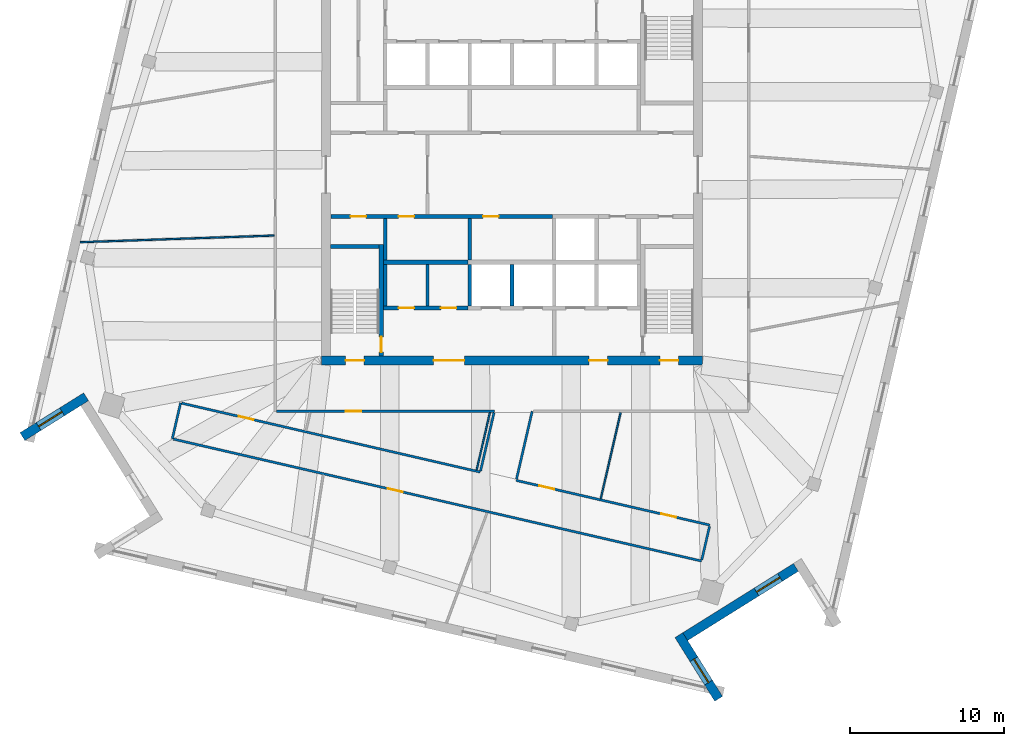
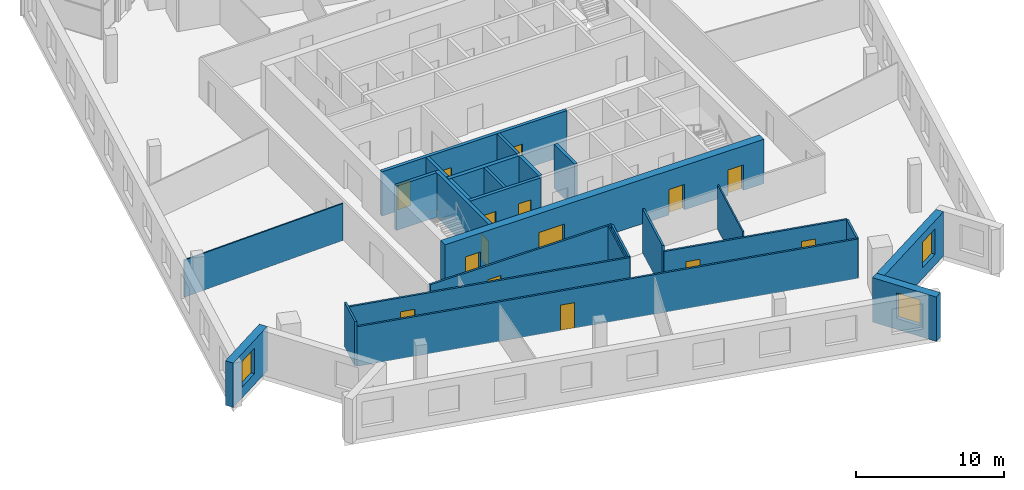
# One storey, part 6 of 14: 26 walls, 15 doors, 3 windows, 18 openings.
"""IFC4 building model written with IfcOpenShell, lengths in metres."""

from ifc_helpers import new_model, si_unit, direction, frame, frame_2d, origin, place, context, subcontext, project, spatial, rectangle, extrude, material, layer, layer_set, type_object, element, fill, save


model = new_model("IFC4")

# Units and contexts
model_context = context("Model", 3, precision=1e-05, world=origin(), true_north=direction((0.0, 1.0)))
body_context = subcontext(model_context, "Body", "Model", "MODEL_VIEW")
ifc_project = project(units=[si_unit("LENGTHUNIT", "METRE"), si_unit("AREAUNIT", "SQUARE_METRE"), si_unit("VOLUMEUNIT", "CUBIC_METRE"), si_unit("PLANEANGLEUNIT", "RADIAN"), si_unit("MASSUNIT", "GRAM", prefix="KILO")], contexts=[model_context])

# Site, building, storey
site_placement = place(None, origin())
site = spatial("IfcSite", under=ifc_project, at=site_placement, CompositionType="ELEMENT")
building_placement = place(site_placement, origin())
building = spatial("IfcBuilding", under=site, at=building_placement, Name="Dilmun Exchange Tower", CompositionType="ELEMENT")
storey_placement = place(building_placement, frame((0.0, 0.0, 332.5)))
storey = spatial("IfcBuildingStorey", under=building, at=storey_placement, Name="L79", CompositionType="ELEMENT", Elevation=332.5)

# Walls
ifc_material_1 = material(Name="Concrete C40/50", Category="concrete")
ifc_layer_1 = layer(ifc_material_1, 0.199951171875)
ifc_layer_set_1 = layer_set([ifc_layer_1], Name="Concrete C40/50")
wall_type_1 = type_object("IfcWallType", Name="Core partition wall 200", PredefinedType="PARTITIONING", material=ifc_layer_set_1)
for number, where, z_axis, x_axis, name in (
    (1, (-5.5, -8.544921875, 0.0), (0.0, 0.0, 1.0), (0.0, 1.0, 0.0), "L79 core partition wall 04"),
    (2, (-2.75, -5.544921875, 0.0), (0.0, 0.0, 1.0), (0.0, 1.0, 0.0), "L79 core partition wall 07"),
):
    element("IfcWall", number, at=place(storey_placement, frame(where, z_axis=z_axis, x_axis=x_axis)), inside=storey, type_object=wall_type_1, Name=name, PredefinedType="PARTITIONING", context=body_context, shape_type="SweptSolid", body=[
        extrude(rectangle(XDim=2.68994140625, YDim=0.199951171875, at=frame_2d((1.344970703125, 0.0))), origin(), (0.0, 0.0, 1.0), 3.64990234375),
    ])

# Wall, openings, doors
ifc_layer_2 = layer(ifc_material_1, 0.25)
ifc_layer_set_2 = layer_set([ifc_layer_2], Name="Concrete C40/50")
wall_type_2 = type_object("IfcWallType", Name="Core partition wall 250", PredefinedType="PARTITIONING", material=ifc_layer_set_2)
wall_1_placement = place(storey_placement, frame((-8.3701171875, -8.675048828125, 0.0), z_axis=(0.0, 0.0, 1.0), x_axis=(1.0, 0.0, 0.0)))
wall_1 = element("IfcWall", 3, at=wall_1_placement, inside=storey, type_object=wall_type_2, Name="L79 core partition wall 02", PredefinedType="PARTITIONING", context=body_context, shape_type="SweptSolid", body=[
    extrude(rectangle(XDim=5.490234375, YDim=0.25, at=frame_2d((2.7451171875, 0.0))), origin(), (0.0, 0.0, 1.0), 3.64990234375),
])
opening_1_placement = place(wall_1_placement, frame((0.9951171875, 0.0, 0.0)))
opening_1 = element("IfcOpeningElement", 4, at=opening_1_placement, cuts=wall_1, Name="Opening CD4", PredefinedType="OPENING", context=body_context, shape_type="SweptSolid", body=[
    extrude(rectangle(XDim=1.0, YDim=2.10009765625, at=frame_2d((0.5, 1.050048828125))), frame((0.0, 0.135009765625, 0.0), z_axis=(0.0, -1.0, 0.0), x_axis=(1.0, 0.0, 0.0)), (0.0, 0.0, 1.0), 0.27001953125),
])
opening_2_placement = place(wall_1_placement, frame((3.7451171875, 0.0, 0.0)))
opening_2 = element("IfcOpeningElement", 5, at=opening_2_placement, cuts=wall_1, Name="Opening CD4", PredefinedType="OPENING", context=body_context, shape_type="SweptSolid", body=[
    extrude(rectangle(XDim=1.0, YDim=2.10009765625, at=frame_2d((0.5, 1.050048828125))), frame((0.0, 0.135009765625, 0.0), z_axis=(0.0, -1.0, 0.0), x_axis=(1.0, 0.0, 0.0)), (0.0, 0.0, 1.0), 0.27001953125),
])
ifc_material_2 = material(Name="Fire-rated steel door set", Category="steel")
door_type_1 = type_object("IfcDoorType", Name="Core room door 1000x2100", OperationType="SINGLE_SWING_LEFT", PredefinedType="DOOR", material=ifc_material_2)
door_1_placement = place(opening_1_placement, origin())
door_1 = element("IfcDoor", 6, at=door_1_placement, inside=storey, type_object=door_type_1, Name="L79 door Male WC", OperationType="SINGLE_SWING_RIGHT", OverallHeight=2.10009765625, OverallWidth=1.0, PredefinedType="DOOR", context=body_context, shape_type="SweptSolid", body=[
    extrude(rectangle(XDim=1.0, YDim=2.10009765625, at=frame_2d((0.5, 1.050048828125))), frame((0.0, 0.02490234375, 0.0), z_axis=(0.0, -1.0, 0.0), x_axis=(1.0, 0.0, 0.0)), (0.0, 0.0, 1.0), 0.050048828125),
])
fill(opening_1, door_1)
door_2_placement = place(opening_2_placement, origin())
door_2 = element("IfcDoor", 7, at=door_2_placement, inside=storey, type_object=door_type_1, Name="L79 door Female WC", OperationType="SINGLE_SWING_RIGHT", OverallHeight=2.10009765625, OverallWidth=1.0, PredefinedType="DOOR", context=body_context, shape_type="SweptSolid", body=[
    extrude(rectangle(XDim=1.0, YDim=2.10009765625, at=frame_2d((0.5, 1.050048828125))), frame((0.0, 0.02490234375, 0.0), z_axis=(0.0, -1.0, 0.0), x_axis=(1.0, 0.0, 0.0)), (0.0, 0.0, 1.0), 0.050048828125),
])
fill(opening_2, door_2)

# Walls
for number, where, z_axis, x_axis, name in (
    (8, (-8.25, -8.544921875, 0.0), (0.0, 0.0, 1.0), (0.0, 1.0, 0.0), "L79 core partition wall 03"),
    (9, (-8.25, -5.544921875, 0.0), (0.0, 0.0, 1.0), (0.0, 1.0, 0.0), "L79 core partition wall 06"),
):
    element("IfcWall", number, at=place(storey_placement, frame(where, z_axis=z_axis, x_axis=x_axis)), inside=storey, type_object=wall_type_2, Name=name, PredefinedType="PARTITIONING", context=body_context, shape_type="SweptSolid", body=[
        extrude(rectangle(XDim=2.68994140625, YDim=0.25, at=frame_2d((1.344970703125, 0.0))), origin(), (0.0, 0.0, 1.0), 3.64990234375),
    ])

# Wall, openings, doors
wall_2_placement = place(storey_placement, frame((-11.794921875, -2.72509765625, 0.0), z_axis=(0.0, 0.0, 1.0), x_axis=(1.0, 0.0, 0.0)))
wall_2 = element("IfcWall", 10, at=wall_2_placement, inside=storey, type_object=wall_type_2, Name="L79 core partition wall 09", PredefinedType="PARTITIONING", context=body_context, shape_type="SweptSolid", body=[
    extrude(rectangle(XDim=14.4150390625, YDim=0.25, at=frame_2d((7.20751953125, 0.0))), origin(), (0.0, 0.0, 1.0), 3.64990234375),
])
opening_3_placement = place(wall_2_placement, frame((1.294921875, 0.0, 0.0)))
opening_3 = element("IfcOpeningElement", 11, at=opening_3_placement, cuts=wall_2, Name="Opening CD4", PredefinedType="OPENING", context=body_context, shape_type="SweptSolid", body=[
    extrude(rectangle(XDim=1.0, YDim=2.10009765625, at=frame_2d((0.5, 1.050048828125))), frame((0.0, 0.135009765625, 0.0), z_axis=(0.0, -1.0, 0.0), x_axis=(1.0, 0.0, 0.0)), (0.0, 0.0, 1.0), 0.27001953125),
])
opening_4_placement = place(wall_2_placement, frame((4.419921875, 0.0, 0.0)))
opening_4 = element("IfcOpeningElement", 12, at=opening_4_placement, cuts=wall_2, Name="Opening CD4", PredefinedType="OPENING", context=body_context, shape_type="SweptSolid", body=[
    extrude(rectangle(XDim=1.0, YDim=2.10009765625, at=frame_2d((0.5, 1.050048828125))), frame((0.0, 0.135009765625, 0.0), z_axis=(0.0, -1.0, 0.0), x_axis=(1.0, 0.0, 0.0)), (0.0, 0.0, 1.0), 0.27001953125),
])
opening_5_placement = place(wall_2_placement, frame((9.919921875, 0.0, 0.0)))
opening_5 = element("IfcOpeningElement", 13, at=opening_5_placement, cuts=wall_2, Name="Opening CD4", PredefinedType="OPENING", context=body_context, shape_type="SweptSolid", body=[
    extrude(rectangle(XDim=1.0, YDim=2.10009765625, at=frame_2d((0.5, 1.050048828125))), frame((0.0, 0.135009765625, 0.0), z_axis=(0.0, -1.0, 0.0), x_axis=(1.0, 0.0, 0.0)), (0.0, 0.0, 1.0), 0.27001953125),
])
door_3_placement = place(opening_3_placement, origin())
door_3 = element("IfcDoor", 14, at=door_3_placement, inside=storey, type_object=door_type_1, Name="L79 door Accessible WC", OperationType="SINGLE_SWING_RIGHT", OverallHeight=2.10009765625, OverallWidth=1.0, PredefinedType="DOOR", context=body_context, shape_type="SweptSolid", body=[
    extrude(rectangle(XDim=1.0, YDim=2.10009765625, at=frame_2d((0.5, 1.050048828125))), frame((0.0, 0.02490234375, 0.0), z_axis=(0.0, -1.0, 0.0), x_axis=(1.0, 0.0, 0.0)), (0.0, 0.0, 1.0), 0.050048828125),
])
fill(opening_3, door_3)
door_4_placement = place(opening_4_placement, origin())
door_4 = element("IfcDoor", 15, at=door_4_placement, inside=storey, type_object=door_type_1, Name="L79 door Archive store", OperationType="SINGLE_SWING_RIGHT", OverallHeight=2.10009765625, OverallWidth=1.0, PredefinedType="DOOR", context=body_context, shape_type="SweptSolid", body=[
    extrude(rectangle(XDim=1.0, YDim=2.10009765625, at=frame_2d((0.5, 1.050048828125))), frame((0.0, 0.02490234375, 0.0), z_axis=(0.0, -1.0, 0.0), x_axis=(1.0, 0.0, 0.0)), (0.0, 0.0, 1.0), 0.050048828125),
])
fill(opening_4, door_4)
door_5_placement = place(opening_5_placement, origin())
door_5 = element("IfcDoor", 16, at=door_5_placement, inside=storey, type_object=door_type_1, Name="L79 door Switch room", OperationType="SINGLE_SWING_RIGHT", OverallHeight=2.10009765625, OverallWidth=1.0, PredefinedType="DOOR", context=body_context, shape_type="SweptSolid", body=[
    extrude(rectangle(XDim=1.0, YDim=2.10009765625, at=frame_2d((0.5, 1.050048828125))), frame((0.0, 0.02490234375, 0.0), z_axis=(0.0, -1.0, 0.0), x_axis=(1.0, 0.0, 0.0)), (0.0, 0.0, 1.0), 0.050048828125),
])
fill(opening_5, door_5)

# Wall
ifc_layer_3 = layer(ifc_material_1, 0.300048828125)
ifc_layer_set_3 = layer_set([ifc_layer_3], Name="Concrete C40/50")
wall_type_3 = type_object("IfcWallType", Name="Core partition wall 300", PredefinedType="PARTITIONING", material=ifc_layer_set_3)
wall_3_placement = place(storey_placement, frame((-8.35009765625, -5.699951171875, 0.0), z_axis=(0.0, 0.0, 1.0), x_axis=(1.0, 0.0, 0.0)))
element("IfcWall", 17, at=wall_3_placement, inside=storey, type_object=wall_type_3, Name="L79 core partition wall 05", PredefinedType="PARTITIONING", context=body_context, shape_type="SweptSolid", body=[
    extrude(rectangle(XDim=5.47021484375, YDim=0.300048828125, at=frame_2d((2.735107421875, 0.0))), origin(), (0.0, 0.0, 1.0), 3.64990234375),
])

# Wall, openings, doors
ifc_material_3 = material(Name="Concrete C50/60", Category="concrete")
ifc_layer_4 = layer(ifc_material_3, 0.60009765625)
ifc_layer_set_4 = layer_set([ifc_layer_4], Name="Concrete C50/60")
wall_type_4 = type_object("IfcWallType", Name="Core shear wall 600 Concrete C50/60", PredefinedType="SHEAR", material=ifc_layer_set_4)
wall_4_placement = place(storey_placement, frame((-12.39990234375, -12.10009765625, 0.0), z_axis=(0.0, 0.0, 1.0), x_axis=(1.0, 0.0, 0.0)))
wall_4 = element("IfcWall", 18, at=wall_4_placement, inside=storey, type_object=wall_type_4, Name="L79 core shear wall S", PredefinedType="SHEAR", context=body_context, shape_type="SweptSolid", body=[
    extrude(rectangle(XDim=24.7998046875, YDim=0.60009765625, at=frame_2d((12.39990234375, 0.0))), origin(), (0.0, 0.0, 1.0), 3.64990234375),
])
opening_6_placement = place(wall_4_placement, frame((7.300048828125, 0.0, 0.0)))
opening_6 = element("IfcOpeningElement", 19, at=opening_6_placement, cuts=wall_4, Name="Opening CD2", PredefinedType="OPENING", context=body_context, shape_type="SweptSolid", body=[
    extrude(rectangle(XDim=2.0, YDim=2.10009765625, at=frame_2d((1.0, 1.050048828125))), frame((0.0, 0.31005859375, 0.0), z_axis=(0.0, -1.0, 0.0), x_axis=(1.0, 0.0, 0.0)), (0.0, 0.0, 1.0), 0.6201171875),
])
opening_7_placement = place(wall_4_placement, frame((17.425048828125, 0.0, 0.0)))
opening_7 = element("IfcOpeningElement", 20, at=opening_7_placement, cuts=wall_4, Name="Opening CD3", PredefinedType="OPENING", context=body_context, shape_type="SweptSolid", body=[
    extrude(rectangle(XDim=1.199951171875, YDim=2.10009765625, at=frame_2d((0.60009765625, 1.050048828125))), frame((0.0, 0.31005859375, 0.0), z_axis=(0.0, -1.0, 0.0), x_axis=(1.0, 0.0, 0.0)), (0.0, 0.0, 1.0), 0.6201171875),
])
opening_8_placement = place(wall_4_placement, frame((1.574951171875, 0.0, 0.0)))
opening_8 = element("IfcOpeningElement", 21, at=opening_8_placement, cuts=wall_4, Name="Opening CD3", PredefinedType="OPENING", context=body_context, shape_type="SweptSolid", body=[
    extrude(rectangle(XDim=1.199951171875, YDim=2.10009765625, at=frame_2d((0.60009765625, 1.050048828125))), frame((0.0, 0.31005859375, 0.0), z_axis=(0.0, -1.0, 0.0), x_axis=(1.0, 0.0, 0.0)), (0.0, 0.0, 1.0), 0.6201171875),
])
opening_9_placement = place(wall_4_placement, frame((22.02490234375, 0.0, 0.0)))
opening_9 = element("IfcOpeningElement", 22, at=opening_9_placement, cuts=wall_4, Name="Opening CD3", PredefinedType="OPENING", context=body_context, shape_type="SweptSolid", body=[
    extrude(rectangle(XDim=1.199951171875, YDim=2.10009765625, at=frame_2d((0.60009765625, 1.050048828125))), frame((0.0, 0.31005859375, 0.0), z_axis=(0.0, -1.0, 0.0), x_axis=(1.0, 0.0, 0.0)), (0.0, 0.0, 1.0), 0.6201171875),
])
door_type_2 = type_object("IfcDoorType", Name="Core service door 2000x2100", OperationType="DOUBLE_DOOR_DOUBLE_SWING", PredefinedType="DOOR", material=ifc_material_2)
door_6_placement = place(opening_6_placement, origin())
door_6 = element("IfcDoor", 23, at=door_6_placement, inside=storey, type_object=door_type_2, Name="L79 door South service lobby", OperationType="SINGLE_SWING_LEFT", OverallHeight=2.10009765625, OverallWidth=2.0, PredefinedType="DOOR", context=body_context, shape_type="SweptSolid", body=[
    extrude(rectangle(XDim=2.0, YDim=2.10009765625, at=frame_2d((1.0, 1.050048828125))), frame((0.0, 0.02490234375, 0.0), z_axis=(0.0, -1.0, 0.0), x_axis=(1.0, 0.0, 0.0)), (0.0, 0.0, 1.0), 0.050048828125),
])
fill(opening_6, door_6)
door_type_3 = type_object("IfcDoorType", Name="Stair exit door 1200x2100", OperationType="SINGLE_SWING_LEFT", PredefinedType="DOOR", material=ifc_material_2)
door_7_placement = place(opening_7_placement, origin())
door_7 = element("IfcDoor", 24, at=door_7_placement, inside=storey, type_object=door_type_3, Name="L79 door Fire-fighting lobby", OperationType="SINGLE_SWING_LEFT", OverallHeight=2.10009765625, OverallWidth=1.199951171875, PredefinedType="DOOR", context=body_context, shape_type="SweptSolid", body=[
    extrude(rectangle(XDim=1.199951171875, YDim=2.10009765625, at=frame_2d((0.60009765625, 1.050048828125))), frame((0.0, 0.02490234375, 0.0), z_axis=(0.0, -1.0, 0.0), x_axis=(1.0, 0.0, 0.0)), (0.0, 0.0, 1.0), 0.050048828125),
])
fill(opening_7, door_7)
door_8_placement = place(opening_8_placement, origin())
door_8 = element("IfcDoor", 25, at=door_8_placement, inside=storey, type_object=door_type_3, Name="L79 door Stair ST2", OperationType="SINGLE_SWING_LEFT", OverallHeight=2.10009765625, OverallWidth=1.199951171875, PredefinedType="DOOR", context=body_context, shape_type="SweptSolid", body=[
    extrude(rectangle(XDim=1.199951171875, YDim=2.10009765625, at=frame_2d((0.60009765625, 1.050048828125))), frame((0.0, 0.02490234375, 0.0), z_axis=(0.0, -1.0, 0.0), x_axis=(1.0, 0.0, 0.0)), (0.0, 0.0, 1.0), 0.050048828125),
])
fill(opening_8, door_8)
door_9_placement = place(opening_9_placement, origin())
door_9 = element("IfcDoor", 26, at=door_9_placement, inside=storey, type_object=door_type_3, Name="L79 door Stair ST3", OperationType="SINGLE_SWING_LEFT", OverallHeight=2.10009765625, OverallWidth=1.199951171875, PredefinedType="DOOR", context=body_context, shape_type="SweptSolid", body=[
    extrude(rectangle(XDim=1.199951171875, YDim=2.10009765625, at=frame_2d((0.60009765625, 1.050048828125))), frame((0.0, 0.02490234375, 0.0), z_axis=(0.0, -1.0, 0.0), x_axis=(1.0, 0.0, 0.0)), (0.0, 0.0, 1.0), 0.050048828125),
])
fill(opening_9, door_9)

# Wall
ifc_material_4 = material(Name="Corridor wall 150")
ifc_layer_5 = layer(ifc_material_4, 0.14990234375)
ifc_layer_set_5 = layer_set([ifc_layer_5], Name="Corridor wall 150")
wall_type_5 = type_object("IfcWallType", Name="Corridor wall 150", PredefinedType="PARTITIONING", material=ifc_layer_set_5)
wall_5_placement = place(storey_placement, frame((-22.110107421875, -17.193115234375, 0.0), z_axis=(0.0, 0.0, 1.0), x_axis=(0.225045260861, 0.9743483107, 0.0)))
element("IfcWall", 27, at=wall_5_placement, inside=storey, type_object=wall_type_5, Name="Corridor wall", PredefinedType="PARTITIONING", context=body_context, shape_type="SweptSolid", body=[
    extrude(rectangle(XDim=2.399658203125, YDim=0.14990234375, at=frame_2d((1.19970703125, 0.0))), origin(), (0.0, 0.0, 1.0), 3.64990234375),
])

# Wall, opening, door
wall_6_placement = place(storey_placement, frame((-22.036865234375, -17.2099609375, 0.0), z_axis=(0.0, 0.0, 1.0), x_axis=(0.974365877869, -0.224969189101, 0.0)))
wall_6 = element("IfcWall", 28, at=wall_6_placement, inside=storey, type_object=wall_type_5, Name="Corridor wall", PredefinedType="PARTITIONING", context=body_context, shape_type="SweptSolid", body=[
    extrude(rectangle(XDim=35.276123046875, YDim=0.14990234375, at=frame_2d((17.63818359375, 0.0))), origin(), (0.0, 0.0, 1.0), 3.25),
])
opening_10_placement = place(wall_6_placement, frame((14.316650390625, 0.0, 0.0)))
opening_10 = element("IfcOpeningElement", 29, at=opening_10_placement, cuts=wall_6, Name="Opening TF79-D06", PredefinedType="OPENING", context=body_context, shape_type="SweptSolid", body=[
    extrude(rectangle(XDim=1.0, YDim=2.10009765625, at=frame_2d((0.5, 1.050048828125))), frame((0.0, 0.0849609375, 0.0), z_axis=(0.0, -1.0, 0.0), x_axis=(1.0, 0.0, 0.0)), (0.0, 0.0, 1.0), 0.169921875),
])
ifc_material_5 = material(Name="Fire door 1000 x 2100")
door_type_4 = type_object("IfcDoorType", Name="Fire door 1000 x 2100", OperationType="NOTDEFINED", PredefinedType="DOOR", material=ifc_material_5)
door_10_placement = place(opening_10_placement, frame((1.0, 0.0, 0.0), z_axis=(0.0, 0.0, 1.0), x_axis=(-1.0, 0.0, 0.0)))
door_10 = element("IfcDoor", 30, at=door_10_placement, inside=storey, type_object=door_type_4, Name="Door TF79-D06", OperationType="SINGLE_SWING_LEFT", OverallHeight=2.10009765625, OverallWidth=1.0, PredefinedType="DOOR", context=body_context, shape_type="SweptSolid", body=[
    extrude(rectangle(XDim=1.0, YDim=2.10009765625, at=frame_2d((0.5, 1.050048828125))), frame((0.0, 0.02490234375, 0.0), z_axis=(0.0, -1.0, 0.0), x_axis=(1.0, 0.0, 0.0)), (0.0, 0.0, 1.0), 0.050048828125),
])
fill(opening_10, door_10)

wall_7_placement = place(storey_placement, frame((-21.496826171875, -14.871826171875, 0.0), z_axis=(0.0, 0.0, 1.0), x_axis=(0.974371384758, -0.224945336838, 0.0)))
wall_7 = element("IfcWall", 31, at=wall_7_placement, inside=storey, type_object=wall_type_5, Name="Corridor wall", PredefinedType="PARTITIONING", context=body_context, shape_type="SweptSolid", body=[
    extrude(rectangle(XDim=19.943115234375, YDim=0.14990234375, at=frame_2d((9.9716796875, 0.0))), origin(), (0.0, 0.0, 1.0), 3.25),
])
opening_11_placement = place(wall_7_placement, frame((3.800048828125, 0.0, 0.0)))
opening_11 = element("IfcOpeningElement", 32, at=opening_11_placement, cuts=wall_7, Name="Opening TF79-D03", PredefinedType="OPENING", context=body_context, shape_type="SweptSolid", body=[
    extrude(rectangle(XDim=1.0, YDim=2.10009765625, at=frame_2d((0.5, 1.050048828125))), frame((0.0, 0.0849609375, 0.0), z_axis=(0.0, -1.0, 0.0), x_axis=(1.0, 0.0, 0.0)), (0.0, 0.0, 1.0), 0.169921875),
])
door_11_placement = place(opening_11_placement, origin())
door_11 = element("IfcDoor", 33, at=door_11_placement, inside=storey, type_object=door_type_4, Name="Door TF79-D03", OperationType="SINGLE_SWING_LEFT", OverallHeight=2.10009765625, OverallWidth=1.0, PredefinedType="DOOR", context=body_context, shape_type="SweptSolid", body=[
    extrude(rectangle(XDim=1.0, YDim=2.10009765625, at=frame_2d((0.5, 1.050048828125))), frame((0.0, 0.02490234375, 0.0), z_axis=(0.0, -1.0, 0.0), x_axis=(1.0, 0.0, 0.0)), (0.0, 0.0, 1.0), 0.050048828125),
])
fill(opening_11, door_11)

wall_8_placement = place(storey_placement, frame((-15.324951171875, -15.39990234375, 0.0), z_axis=(0.0, 0.0, 1.0), x_axis=(1.0, 0.0, 0.0)))
wall_8 = element("IfcWall", 34, at=wall_8_placement, inside=storey, type_object=wall_type_5, Name="Corridor wall", PredefinedType="PARTITIONING", context=body_context, shape_type="SweptSolid", body=[
    extrude(rectangle(XDim=14.174072265625, YDim=0.14990234375, at=frame_2d((7.0869140625, 0.0))), origin(), (0.0, 0.0, 1.0), 3.25),
])
opening_12_placement = place(wall_8_placement, frame((4.498779296875, 0.0, 0.0)))
opening_12 = element("IfcOpeningElement", 35, at=opening_12_placement, cuts=wall_8, Name="Opening TF79-D08", PredefinedType="OPENING", context=body_context, shape_type="SweptSolid", body=[
    extrude(rectangle(XDim=1.0, YDim=2.10009765625, at=frame_2d((0.5, 1.050048828125))), frame((0.0, 0.0849609375, 0.0), z_axis=(0.0, -1.0, 0.0), x_axis=(1.0, 0.0, 0.0)), (0.0, 0.0, 1.0), 0.169921875),
])
door_12_placement = place(opening_12_placement, frame((1.0, 0.0, 0.0), z_axis=(0.0, 0.0, 1.0), x_axis=(-1.0, 0.0, 0.0)))
door_12 = element("IfcDoor", 36, at=door_12_placement, inside=storey, type_object=door_type_4, Name="Door TF79-D08", OperationType="SINGLE_SWING_RIGHT", OverallHeight=2.10009765625, OverallWidth=1.0, PredefinedType="DOOR", context=body_context, shape_type="SweptSolid", body=[
    extrude(rectangle(XDim=1.0, YDim=2.10009765625, at=frame_2d((0.5, 1.050048828125))), frame((0.0, 0.02490234375, 0.0), z_axis=(0.0, -1.0, 0.0), x_axis=(1.0, 0.0, 0.0)), (0.0, 0.0, 1.0), 0.050048828125),
])
fill(opening_12, door_12)

# Wall
wall_9_placement = place(storey_placement, frame((-2.048095703125, -19.284912109375, 0.0), z_axis=(0.0, 0.0, 1.0), x_axis=(0.225024396784, 0.974353129441, 0.0)))
element("IfcWall", 37, at=wall_9_placement, inside=storey, type_object=wall_type_5, Name="Corridor wall", PredefinedType="PARTITIONING", context=body_context, shape_type="SweptSolid", body=[
    extrude(rectangle(XDim=3.892822265625, YDim=0.14990234375, at=frame_2d((1.9462890625, 0.0))), origin(), (0.0, 0.0, 1.0), 3.25),
])

# Wall, openings, doors
wall_10_placement = place(storey_placement, frame((0.27392578125, -19.89794921875, 0.0), z_axis=(0.0, 0.0, 1.0), x_axis=(0.974374329931, -0.224932579167, 0.0)))
wall_10 = element("IfcWall", 38, at=wall_10_placement, inside=storey, type_object=wall_type_5, Name="Corridor wall", PredefinedType="PARTITIONING", context=body_context, shape_type="SweptSolid", body=[
    extrude(rectangle(XDim=12.932373046875, YDim=0.14990234375, at=frame_2d((6.46630859375, 0.0))), origin(), (0.0, 0.0, 1.0), 3.25),
])
opening_13_placement = place(wall_10_placement, frame((1.550048828125, 0.0, 0.0)))
opening_13 = element("IfcOpeningElement", 39, at=opening_13_placement, cuts=wall_10, Name="Opening TF79-D11", PredefinedType="OPENING", context=body_context, shape_type="SweptSolid", body=[
    extrude(rectangle(XDim=1.0, YDim=2.10009765625, at=frame_2d((0.5, 1.050048828125))), frame((0.0, 0.0849609375, 0.0), z_axis=(0.0, -1.0, 0.0), x_axis=(1.0, 0.0, 0.0)), (0.0, 0.0, 1.0), 0.169921875),
])
opening_14_placement = place(wall_10_placement, frame((9.679443359375, 0.0, 0.0)))
opening_14 = element("IfcOpeningElement", 40, at=opening_14_placement, cuts=wall_10, Name="Opening TF79-D16", PredefinedType="OPENING", context=body_context, shape_type="SweptSolid", body=[
    extrude(rectangle(XDim=1.0, YDim=2.10009765625, at=frame_2d((0.5, 1.050048828125))), frame((0.0, 0.0849609375, 0.0), z_axis=(0.0, -1.0, 0.0), x_axis=(1.0, 0.0, 0.0)), (0.0, 0.0, 1.0), 0.169921875),
])
door_13_placement = place(opening_13_placement, origin())
door_13 = element("IfcDoor", 41, at=door_13_placement, inside=storey, type_object=door_type_4, Name="Door TF79-D11", OperationType="SINGLE_SWING_RIGHT", OverallHeight=2.10009765625, OverallWidth=1.0, PredefinedType="DOOR", context=body_context, shape_type="SweptSolid", body=[
    extrude(rectangle(XDim=1.0, YDim=2.10009765625, at=frame_2d((0.5, 1.050048828125))), frame((0.0, 0.02490234375, 0.0), z_axis=(0.0, -1.0, 0.0), x_axis=(1.0, 0.0, 0.0)), (0.0, 0.0, 1.0), 0.050048828125),
])
fill(opening_13, door_13)
door_14_placement = place(opening_14_placement, origin())
door_14 = element("IfcDoor", 42, at=door_14_placement, inside=storey, type_object=door_type_4, Name="Door TF79-D16", OperationType="SINGLE_SWING_LEFT", OverallHeight=2.10009765625, OverallWidth=1.0, PredefinedType="DOOR", context=body_context, shape_type="SweptSolid", body=[
    extrude(rectangle(XDim=1.0, YDim=2.10009765625, at=frame_2d((0.5, 1.050048828125))), frame((0.0, 0.02490234375, 0.0), z_axis=(0.0, -1.0, 0.0), x_axis=(1.0, 0.0, 0.0)), (0.0, 0.0, 1.0), 0.050048828125),
])
fill(opening_14, door_14)

# Walls
wall_11_placement = place(storey_placement, frame((0.291015625, -19.824951171875, 0.0), z_axis=(0.0, 0.0, 1.0), x_axis=(0.224824169945, 0.974399349655, 0.0)))
element("IfcWall", 43, at=wall_11_placement, inside=storey, type_object=wall_type_5, Name="Corridor wall", PredefinedType="PARTITIONING", context=body_context, shape_type="SweptSolid", body=[
    extrude(rectangle(XDim=4.541259765625, YDim=0.14990234375, at=frame_2d((2.2705078125, 0.0))), origin(), (0.0, 0.0, 1.0), 3.64990234375),
])
wall_12_placement = place(storey_placement, frame((12.351806640625, -25.072998046875, 0.0), z_axis=(0.0, 0.0, 1.0), x_axis=(0.224986267236, 0.974361934578, 0.0)))
element("IfcWall", 44, at=wall_12_placement, inside=storey, type_object=wall_type_5, Name="Corridor wall", PredefinedType="PARTITIONING", context=body_context, shape_type="SweptSolid", body=[
    extrude(rectangle(XDim=2.25048828125, YDim=0.14990234375, at=frame_2d((1.125244140625, 0.0))), origin(), (0.0, 0.0, 1.0), 3.25),
])
ifc_layer_6 = layer(ifc_material_1, 0.25)
ifc_layer_set_6 = layer_set([ifc_layer_6], Name="Concrete C40/50")
wall_type_6 = type_object("IfcWallType", Name="Lift shaft wall 250", PredefinedType="SOLIDWALL", material=ifc_layer_set_6)
for number, where, z_axis, x_axis, name in (
    (45, (-2.75, -8.550048828125, 0.0), (0.0, 0.0, 1.0), (0.0, 1.0, 0.0), "L79 lift shaft divider S22"),
    (46, (0.0, -8.550048828125, 0.0), (0.0, 0.0, 1.0), (0.0, 1.0, 0.0), "L79 lift shaft divider S23"),
):
    element("IfcWall", number, at=place(storey_placement, frame(where, z_axis=z_axis, x_axis=x_axis)), inside=storey, type_object=wall_type_6, Name=name, PredefinedType="SOLIDWALL", context=body_context, shape_type="SweptSolid", body=[
        extrude(rectangle(XDim=2.699951171875, YDim=0.25, at=frame_2d((1.35009765625, 0.0))), origin(), (0.0, 0.0, 1.0), 3.64990234375),
    ])
ifc_material_6 = material(Name="Partition 100")
ifc_layer_7 = layer(ifc_material_6, 0.10009765625)
ifc_layer_set_7 = layer_set([ifc_layer_7], Name="Partition 100")
wall_type_7 = type_object("IfcWallType", Name="Partition 100", PredefinedType="PARTITIONING", material=ifc_layer_set_7)
wall_13_placement = place(storey_placement, frame((-28.10693359375, -4.39453125, 0.0), z_axis=(0.0, 0.0, 1.0), x_axis=(0.999410579242, 0.03432920185, 0.0)))
element("IfcWall", 47, at=wall_13_placement, inside=storey, type_object=wall_type_7, Name="Partition", PredefinedType="PARTITIONING", context=body_context, shape_type="SweptSolid", body=[
    extrude(rectangle(XDim=12.6376953125, YDim=0.10009765625, at=frame_2d((6.31884765625, 0.0))), origin(), (0.0, 0.0, 1.0), 3.050048828125),
])
wall_14_placement = place(storey_placement, frame((-2.302978515625, -19.225830078125, 0.0), z_axis=(0.0, 0.0, 1.0), x_axis=(0.224864152428, 0.974390123592, 0.0)))
element("IfcWall", 48, at=wall_14_placement, inside=storey, type_object=wall_type_7, Name="Partition", PredefinedType="PARTITIONING", context=body_context, shape_type="SweptSolid", body=[
    extrude(rectangle(XDim=3.838134765625, YDim=0.10009765625, at=frame_2d((1.9189453125, 0.0))), origin(), (0.0, 0.0, 1.0), 3.25),
])
wall_15_placement = place(storey_placement, frame((5.77587890625, -21.0908203125, 0.0), z_axis=(0.0, 0.0, 1.0), x_axis=(0.224989694642, 0.974361143162, 0.0)))
element("IfcWall", 49, at=wall_15_placement, inside=storey, type_object=wall_type_7, Name="Partition", PredefinedType="PARTITIONING", context=body_context, shape_type="SweptSolid", body=[
    extrude(rectangle(XDim=5.752197265625, YDim=0.10009765625, at=frame_2d((2.8759765625, 0.0))), origin(), (0.0, 0.0, 1.0), 3.64990234375),
])

# Wall, opening, window
ifc_material_7 = material(Name="Precast concrete C50/60", Category="concrete")
ifc_layer_8 = layer(ifc_material_7, 0.60009765625)
ifc_layer_set_8 = layer_set([ifc_layer_8], Name="Precast concrete C50/60")
wall_type_8 = type_object("IfcWallType", Name="Precast stone-clad wall 600", PredefinedType="STANDARD", material=ifc_layer_set_8)
wall_16_placement = place(storey_placement, frame((-31.863525390625, -17.046630859375, 0.0), z_axis=(0.0, 0.0, 1.0), x_axis=(0.848062867364, 0.529895624626, 0.0)))
wall_16 = element("IfcWall", 50, at=wall_16_placement, inside=storey, type_object=wall_type_8, Name="Facade wall L79-04", PredefinedType="STANDARD", context=body_context, shape_type="SweptSolid", body=[
    extrude(rectangle(XDim=4.885498046875, YDim=0.60009765625, at=frame_2d((2.44287109375, 0.0))), origin(), (0.0, 0.0, 1.0), 3.64990234375),
])
opening_15_placement = place(wall_16_placement, frame((1.242919921875, 0.0, 0.89990234375)))
opening_15 = element("IfcOpeningElement", 51, at=opening_15_placement, cuts=wall_16, Name="Opening W180-210", PredefinedType="OPENING", context=body_context, shape_type="SweptSolid", body=[
    extrude(rectangle(XDim=1.800048828125, YDim=2.10009765625, at=frame_2d((0.89990234375, 1.050048828125))), frame((0.0, 0.31005859375, 0.0), z_axis=(0.0, -1.0, 0.0), x_axis=(1.0, 0.0, 0.0)), (0.0, 0.0, 1.0), 0.6201171875),
])
ifc_material_8 = material(Name="Clear low-emissivity glass in aluminium frame", Category="aluminium")
window_type = type_object("IfcWindowType", Name="Punched window 1800 x 2100", PartitioningType="DOUBLE_PANEL_VERTICAL", PredefinedType="WINDOW", material=ifc_material_8)
window_1_placement = place(opening_15_placement, origin())
window_1 = element("IfcWindow", 52, at=window_1_placement, inside=storey, type_object=window_type, Name="Window 5.1", OverallHeight=2.10009765625, OverallWidth=1.800048828125, PartitioningType="SINGLE_PANEL", PredefinedType="WINDOW", context=body_context, shape_type="SweptSolid", body=[
    extrude(rectangle(XDim=1.800048828125, YDim=2.10009765625, at=frame_2d((0.89990234375, 1.050048828125))), frame((0.0, 0.030029296875, 0.0), z_axis=(0.0, -1.0, 0.0), x_axis=(1.0, 0.0, 0.0)), (0.0, 0.0, 1.0), 0.06005859375),
])
fill(opening_15, window_1)

wall_17_placement = place(storey_placement, frame((13.44873046875, -34.11181640625, 0.0), z_axis=(0.0, 0.0, 1.0), x_axis=(-0.529931563086, 0.848040410856, 0.0)))
wall_17 = element("IfcWall", 53, at=wall_17_placement, inside=storey, type_object=wall_type_8, Name="Facade wall L79-08", PredefinedType="STANDARD", context=body_context, shape_type="SweptSolid", body=[
    extrude(rectangle(XDim=4.8857421875, YDim=0.60009765625, at=frame_2d((2.44287109375, 0.0))), origin(), (0.0, 0.0, 1.0), 3.64990234375),
])
opening_16_placement = place(wall_17_placement, frame((1.242919921875, 0.0, 0.89990234375)))
opening_16 = element("IfcOpeningElement", 54, at=opening_16_placement, cuts=wall_17, Name="Opening W180-210", PredefinedType="OPENING", context=body_context, shape_type="SweptSolid", body=[
    extrude(rectangle(XDim=1.800048828125, YDim=2.10009765625, at=frame_2d((0.89990234375, 1.050048828125))), frame((0.0, 0.31005859375, 0.0), z_axis=(0.0, -1.0, 0.0), x_axis=(1.0, 0.0, 0.0)), (0.0, 0.0, 1.0), 0.6201171875),
])
window_2_placement = place(opening_16_placement, origin())
window_2 = element("IfcWindow", 55, at=window_2_placement, inside=storey, type_object=window_type, Name="Window 9.1", OverallHeight=2.10009765625, OverallWidth=1.800048828125, PartitioningType="SINGLE_PANEL", PredefinedType="WINDOW", context=body_context, shape_type="SweptSolid", body=[
    extrude(rectangle(XDim=1.800048828125, YDim=2.10009765625, at=frame_2d((0.89990234375, 1.050048828125))), frame((0.0, 0.030029296875, 0.0), z_axis=(0.0, -1.0, 0.0), x_axis=(1.0, 0.0, 0.0)), (0.0, 0.0, 1.0), 0.06005859375),
])
fill(opening_16, window_2)

wall_18_placement = place(storey_placement, frame((11.273193359375, -30.06396484375, 0.0), z_axis=(0.0, 0.0, 1.0), x_axis=(0.848051550543, 0.529913736019, 0.0)))
wall_18 = element("IfcWall", 56, at=wall_18_placement, inside=storey, type_object=wall_type_8, Name="Facade wall L79-09", PredefinedType="STANDARD", context=body_context, shape_type="SweptSolid", body=[
    extrude(rectangle(XDim=8.499755859375, YDim=0.60009765625, at=frame_2d((4.25, 0.0))), origin(), (0.0, 0.0, 1.0), 3.64990234375),
])
opening_17_placement = place(wall_18_placement, frame((5.47509765625, 0.0, 0.89990234375)))
opening_17 = element("IfcOpeningElement", 57, at=opening_17_placement, cuts=wall_18, Name="Opening W180-210", PredefinedType="OPENING", context=body_context, shape_type="SweptSolid", body=[
    extrude(rectangle(XDim=1.800048828125, YDim=2.10009765625, at=frame_2d((0.89990234375, 1.050048828125))), frame((0.0, 0.31005859375, 0.0), z_axis=(0.0, -1.0, 0.0), x_axis=(1.0, 0.0, 0.0)), (0.0, 0.0, 1.0), 0.6201171875),
])
window_3_placement = place(opening_17_placement, origin())
window_3 = element("IfcWindow", 58, at=window_3_placement, inside=storey, type_object=window_type, Name="Window 10.2", OverallHeight=2.10009765625, OverallWidth=1.800048828125, PartitioningType="SINGLE_PANEL", PredefinedType="WINDOW", context=body_context, shape_type="SweptSolid", body=[
    extrude(rectangle(XDim=1.800048828125, YDim=2.10009765625, at=frame_2d((0.89990234375, 1.050048828125))), frame((0.0, 0.030029296875, 0.0), z_axis=(0.0, -1.0, 0.0), x_axis=(1.0, 0.0, 0.0)), (0.0, 0.0, 1.0), 0.06005859375),
])
fill(opening_17, window_3)

# Wall
ifc_layer_9 = layer(ifc_material_1, 0.25)
ifc_layer_set_9 = layer_set([ifc_layer_9], Name="Concrete C40/50")
wall_type_9 = type_object("IfcWallType", Name="Stair end wall 250", PredefinedType="SOLIDWALL", material=ifc_layer_set_9)
wall_19_placement = place(storey_placement, frame((-8.64990234375, -4.675048828125, 0.0), z_axis=(0.0, 0.0, 1.0), x_axis=(-1.0, 0.0, 0.0)))
element("IfcWall", 59, at=wall_19_placement, inside=storey, type_object=wall_type_9, Name="L79 ST2 far wall", PredefinedType="SOLIDWALL", context=body_context, shape_type="SweptSolid", body=[
    extrude(rectangle(XDim=3.150146484375, YDim=0.25, at=frame_2d((1.5751953125, 0.0))), origin(), (0.0, 0.0, 1.0), 3.64990234375),
])

# Wall, opening, door
ifc_layer_10 = layer(ifc_material_1, 0.27490234375)
ifc_layer_set_10 = layer_set([ifc_layer_10], Name="Concrete C40/50")
wall_type_10 = type_object("IfcWallType", Name="Stair wall 275", PredefinedType="SOLIDWALL", material=ifc_layer_set_10)
wall_20_placement = place(storey_placement, frame((-8.512451171875, -4.550048828125, 0.0), z_axis=(0.0, 0.0, 1.0), x_axis=(0.0, -1.0, 0.0)))
wall_20 = element("IfcWall", 60, at=wall_20_placement, inside=storey, type_object=wall_type_10, Name="L79 ST2 wall to lift block", PredefinedType="SOLIDWALL", context=body_context, shape_type="SweptSolid", body=[
    extrude(rectangle(XDim=7.25, YDim=0.27490234375, at=frame_2d((3.625, 0.0))), origin(), (0.0, 0.0, 1.0), 3.64990234375),
])
opening_18_placement = place(wall_20_placement, frame((6.0, 0.0, 0.0)))
opening_18 = element("IfcOpeningElement", 61, at=opening_18_placement, cuts=wall_20, Name="Opening CD4", PredefinedType="OPENING", context=body_context, shape_type="SweptSolid", body=[
    extrude(rectangle(XDim=1.0, YDim=2.10009765625, at=frame_2d((0.5, 1.050048828125))), frame((0.0, 0.1474609375, 0.0), z_axis=(0.0, -1.0, 0.0), x_axis=(1.0, 0.0, 0.0)), (0.0, 0.0, 1.0), 0.294921875),
])
door_15_placement = place(opening_18_placement, origin())
door_15 = element("IfcDoor", 62, at=door_15_placement, inside=storey, type_object=door_type_1, Name="L79 door ST2 from lobby", OperationType="SINGLE_SWING_LEFT", OverallHeight=2.10009765625, OverallWidth=1.0, PredefinedType="DOOR", context=body_context, shape_type="SweptSolid", body=[
    extrude(rectangle(XDim=1.0, YDim=2.10009765625, at=frame_2d((0.5, 1.050048828125))), frame((0.0, 0.02490234375, 0.0), z_axis=(0.0, -1.0, 0.0), x_axis=(1.0, 0.0, 0.0)), (0.0, 0.0, 1.0), 0.050048828125),
])
fill(opening_18, door_15)

save(model, "model.ifc")
